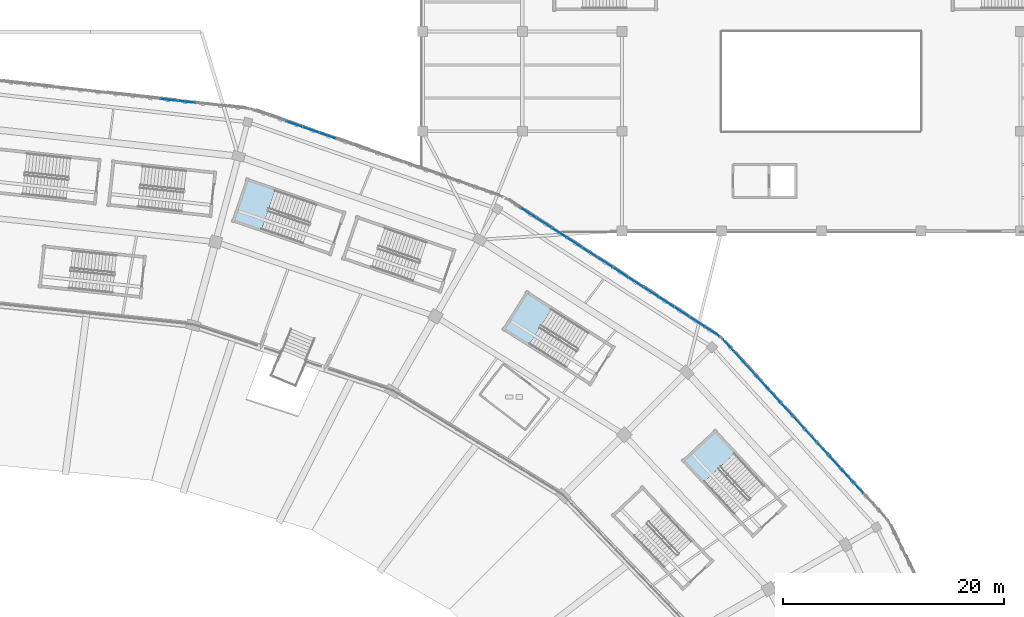
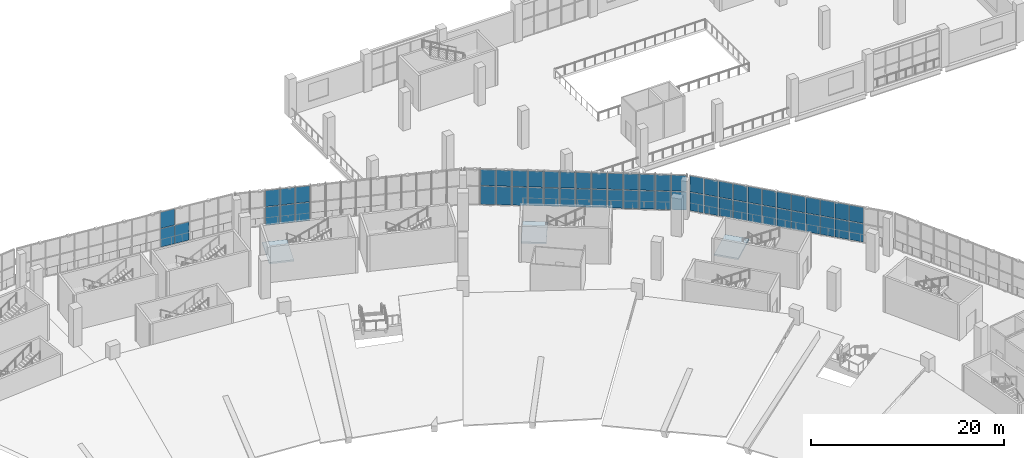
# One storey, part 94 of 183: 59 plates, 3 slabs, 7 elements without a shape of their own.
"""IFC4 building model written with IfcOpenShell, lengths in metres."""

from ifc_helpers import new_model, si_unit, direction, frame, origin, origin_2d, place, context, subcontext, project, spatial, polyline, rectangle, outline, extrude, material, layer, layer_set, type_object, element, aggregate, save


model = new_model("IFC4")

# Units and contexts
model_context = context("Model", 3, precision=1e-05, world=origin(), true_north=direction((0.0, 1.0)))
body_context = subcontext(model_context, "Body", "Model", "MODEL_VIEW")
ifc_project = project(units=[si_unit("LENGTHUNIT", "METRE"), si_unit("AREAUNIT", "SQUARE_METRE"), si_unit("VOLUMEUNIT", "CUBIC_METRE"), si_unit("PLANEANGLEUNIT", "RADIAN"), si_unit("MASSUNIT", "GRAM", prefix="KILO")], contexts=[model_context])

# Site, building, storey
site_placement = place(None, origin())
site = spatial("IfcSite", under=ifc_project, at=site_placement, CompositionType="ELEMENT")
building_placement = place(site_placement, origin())
building = spatial("IfcBuilding", under=site, at=building_placement, Name="Zevraka Park Crest Stadium", CompositionType="ELEMENT")
storey_placement = place(building_placement, frame((0.0, 0.0, 5.39990234375)))
storey = spatial("IfcBuildingStorey", under=building, at=storey_placement, Name="L01", CompositionType="ELEMENT", Elevation=5.39990234375)

# Curtain wall, plates
ifc_material_1 = material(Name="Anodised architectural aluminium and laminated safety glass", Category="aluminium")
curtain_wall_type_1 = type_object("IfcCurtainWallType", Name="CW01", PredefinedType="NOTDEFINED", material=ifc_material_1)
curtain_wall_1_placement = place(storey_placement, origin())
curtain_wall_1 = element("IfcCurtainWall", 1, at=curtain_wall_1_placement, inside=storey, type_object=curtain_wall_type_1, Name="Unitised Ring Curtain Wall CW01 L01-05", PredefinedType="NOTDEFINED")
ifc_material_2 = material(Name="Solar-control laminated double glazing", Category="glass")
ifc_layer_1 = layer(ifc_material_2, 0.028076171875)
ifc_layer_set_1 = layer_set([ifc_layer_1], Name="Solar-control laminated double glazing")
plate_type_1 = type_object("IfcPlateType", Name="CP01", PredefinedType="CURTAIN_PANEL", material=ifc_layer_set_1)
plate_1_placement = place(storey_placement, frame((130.727783203125, 169.644287109375, 0.06005859375), z_axis=(0.0, 0.0, 1.0), x_axis=(-0.993916668414, 0.110134718639, 0.0)))
plate_1 = element("IfcPlate", 2, at=plate_1_placement, type_object=plate_type_1, Name="CW01 panel 4.1", PredefinedType="CURTAIN_PANEL", context=body_context, shape_type="SweptSolid", body=[
    extrude(rectangle(XDim=1.567138671875, YDim=0.028076171875, at=origin_2d()), origin(), (0.0, 0.0, 1.0), 2.31005859375),
])
plate_2_placement = place(storey_placement, frame((129.110595703125, 169.823486328125, 0.06005859375), z_axis=(0.0, 0.0, 1.0), x_axis=(-0.993916668414, 0.110134718639, 0.0)))
plate_2 = element("IfcPlate", 3, at=plate_2_placement, type_object=plate_type_1, Name="CW01 panel 5.1", PredefinedType="CURTAIN_PANEL", context=body_context, shape_type="SweptSolid", body=[
    extrude(rectangle(XDim=1.567138671875, YDim=0.028076171875, at=origin_2d()), origin(), (0.0, 0.0, 1.0), 2.31005859375),
])
plate_3_placement = place(storey_placement, frame((129.110595703125, 169.823486328125, 2.43017578125), z_axis=(0.0, 0.0, 1.0), x_axis=(-0.993916668414, 0.110134718639, 0.0)))
plate_3 = element("IfcPlate", 4, at=plate_3_placement, type_object=plate_type_1, Name="CW01 panel 5.2", PredefinedType="CURTAIN_PANEL", context=body_context, shape_type="SweptSolid", body=[
    extrude(rectangle(XDim=1.567138671875, YDim=0.028076171875, at=origin_2d()), origin(), (0.0, 0.0, 1.0), 2.030029296875),
])
aggregate(curtain_wall_1, [plate_1, plate_2, plate_3])

ifc_material_3 = material(Name="Anodised architectural aluminium and laminated safety glass", Category="aluminium")
curtain_wall_type_2 = type_object("IfcCurtainWallType", Name="CW02", PredefinedType="NOTDEFINED", material=ifc_material_3)
curtain_wall_2_placement = place(storey_placement, origin())
curtain_wall_2 = element("IfcCurtainWall", 5, at=curtain_wall_2_placement, inside=storey, type_object=curtain_wall_type_2, Name="Unitised Ring Curtain Wall CW02 L01-04", PredefinedType="NOTDEFINED")
ifc_material_4 = material(Name="Solar-control laminated double glazing", Category="glass")
ifc_layer_2 = layer(ifc_material_4, 0.028076171875)
ifc_layer_set_2 = layer_set([ifc_layer_2], Name="Solar-control laminated double glazing")
plate_type_2 = type_object("IfcPlateType", Name="CP02", PredefinedType="CURTAIN_PANEL", material=ifc_layer_set_2)
plate_4_placement = place(storey_placement, frame((143.421630859375, 166.59521484375, 0.06494140625), z_axis=(0.0, 0.0, 1.0), x_axis=(-0.944256979565, 0.329209289879, 0.0)))
plate_4 = element("IfcPlate", 6, at=plate_4_placement, type_object=plate_type_2, Name="CW02 panel 11.1", PredefinedType="CURTAIN_PANEL", context=body_context, shape_type="SweptSolid", body=[
    extrude(rectangle(XDim=1.530517578125, YDim=0.028076171875, at=origin_2d()), origin(), (0.0, 0.0, 1.0), 2.302490234375),
])
plate_5_placement = place(storey_placement, frame((143.421630859375, 166.59521484375, 2.4326171875), z_axis=(0.0, 0.0, 1.0), x_axis=(-0.944256979565, 0.329209289879, 0.0)))
plate_5 = element("IfcPlate", 7, at=plate_5_placement, type_object=plate_type_2, Name="CW02 panel 11.2", PredefinedType="CURTAIN_PANEL", context=body_context, shape_type="SweptSolid", body=[
    extrude(rectangle(XDim=1.530517578125, YDim=0.028076171875, at=origin_2d()), origin(), (0.0, 0.0, 1.0), 2.0224609375),
])
plate_6_placement = place(storey_placement, frame((141.9150390625, 167.12060546875, 0.06494140625), z_axis=(0.0, 0.0, 1.0), x_axis=(-0.944256979565, 0.329209289879, 0.0)))
plate_6 = element("IfcPlate", 8, at=plate_6_placement, type_object=plate_type_2, Name="CW02 panel 12.1", PredefinedType="CURTAIN_PANEL", context=body_context, shape_type="SweptSolid", body=[
    extrude(rectangle(XDim=1.530517578125, YDim=0.028076171875, at=origin_2d()), origin(), (0.0, 0.0, 1.0), 2.302490234375),
])
plate_7_placement = place(storey_placement, frame((141.9150390625, 167.12060546875, 2.4326171875), z_axis=(0.0, 0.0, 1.0), x_axis=(-0.944256979565, 0.329209289879, 0.0)))
plate_7 = element("IfcPlate", 9, at=plate_7_placement, type_object=plate_type_2, Name="CW02 panel 12.2", PredefinedType="CURTAIN_PANEL", context=body_context, shape_type="SweptSolid", body=[
    extrude(rectangle(XDim=1.530517578125, YDim=0.028076171875, at=origin_2d()), origin(), (0.0, 0.0, 1.0), 2.0224609375),
])
plate_8_placement = place(storey_placement, frame((140.408447265625, 167.645751953125, 0.06494140625), z_axis=(0.0, 0.0, 1.0), x_axis=(-0.944256979565, 0.329209289879, 0.0)))
plate_8 = element("IfcPlate", 10, at=plate_8_placement, type_object=plate_type_2, Name="CW02 panel 13.1", PredefinedType="CURTAIN_PANEL", context=body_context, shape_type="SweptSolid", body=[
    extrude(rectangle(XDim=1.530517578125, YDim=0.028076171875, at=origin_2d()), origin(), (0.0, 0.0, 1.0), 2.302490234375),
])
plate_9_placement = place(storey_placement, frame((140.408447265625, 167.645751953125, 2.4326171875), z_axis=(0.0, 0.0, 1.0), x_axis=(-0.944256979565, 0.329209289879, 0.0)))
plate_9 = element("IfcPlate", 11, at=plate_9_placement, type_object=plate_type_2, Name="CW02 panel 13.2", PredefinedType="CURTAIN_PANEL", context=body_context, shape_type="SweptSolid", body=[
    extrude(rectangle(XDim=1.530517578125, YDim=0.028076171875, at=origin_2d()), origin(), (0.0, 0.0, 1.0), 2.0224609375),
])
aggregate(curtain_wall_2, [plate_4, plate_5, plate_6, plate_7, plate_8, plate_9])

ifc_material_5 = material(Name="Anodised architectural aluminium and laminated safety glass", Category="aluminium")
curtain_wall_type_3 = type_object("IfcCurtainWallType", Name="CW03", PredefinedType="NOTDEFINED", material=ifc_material_5)
curtain_wall_3_placement = place(storey_placement, origin())
curtain_wall_3 = element("IfcCurtainWall", 12, at=curtain_wall_3_placement, inside=storey, type_object=curtain_wall_type_3, Name="Unitised Ring Curtain Wall CW03 L01-02", PredefinedType="NOTDEFINED")
ifc_material_6 = material(Name="Solar-control laminated double glazing", Category="glass")
ifc_layer_3 = layer(ifc_material_6, 0.028076171875)
ifc_layer_set_3 = layer_set([ifc_layer_3], Name="Solar-control laminated double glazing")
plate_type_3 = type_object("IfcPlateType", Name="CP03", PredefinedType="CURTAIN_PANEL", material=ifc_layer_set_3)
plate_10_placement = place(storey_placement, frame((191.289306640625, 134.8642578125, 0.070068359375), z_axis=(0.0, 0.0, 1.0), x_axis=(-0.673679672672, 0.739023476371, 0.0)))
plate_10 = element("IfcPlate", 13, at=plate_10_placement, type_object=plate_type_3, Name="CW03 panel 3.1", PredefinedType="CURTAIN_PANEL", context=body_context, shape_type="SweptSolid", body=[
    extrude(rectangle(XDim=1.50732421875, YDim=0.028076171875, at=origin_2d()), origin(), (0.0, 0.0, 1.0), 2.294921875),
])
plate_11_placement = place(storey_placement, frame((191.289306640625, 134.8642578125, 2.43505859375), z_axis=(0.0, 0.0, 1.0), x_axis=(-0.673679672672, 0.739023476371, 0.0)))
plate_11 = element("IfcPlate", 14, at=plate_11_placement, type_object=plate_type_3, Name="CW03 panel 3.2", PredefinedType="CURTAIN_PANEL", context=body_context, shape_type="SweptSolid", body=[
    extrude(rectangle(XDim=1.50732421875, YDim=0.028076171875, at=origin_2d()), origin(), (0.0, 0.0, 1.0), 2.014892578125),
])
plate_12_placement = place(storey_placement, frame((190.226806640625, 136.030029296875, 0.070068359375), z_axis=(0.0, 0.0, 1.0), x_axis=(-0.673679672672, 0.739023476371, 0.0)))
plate_12 = element("IfcPlate", 15, at=plate_12_placement, type_object=plate_type_3, Name="CW03 panel 4.1", PredefinedType="CURTAIN_PANEL", context=body_context, shape_type="SweptSolid", body=[
    extrude(rectangle(XDim=1.50732421875, YDim=0.028076171875, at=origin_2d()), origin(), (0.0, 0.0, 1.0), 2.294921875),
])
plate_13_placement = place(storey_placement, frame((190.226806640625, 136.030029296875, 2.43505859375), z_axis=(0.0, 0.0, 1.0), x_axis=(-0.673679672672, 0.739023476371, 0.0)))
plate_13 = element("IfcPlate", 16, at=plate_13_placement, type_object=plate_type_3, Name="CW03 panel 4.2", PredefinedType="CURTAIN_PANEL", context=body_context, shape_type="SweptSolid", body=[
    extrude(rectangle(XDim=1.50732421875, YDim=0.028076171875, at=origin_2d()), origin(), (0.0, 0.0, 1.0), 2.014892578125),
])
plate_14_placement = place(storey_placement, frame((189.1640625, 137.19580078125, 0.070068359375), z_axis=(0.0, 0.0, 1.0), x_axis=(-0.673679672672, 0.739023476371, 0.0)))
plate_14 = element("IfcPlate", 17, at=plate_14_placement, type_object=plate_type_3, Name="CW03 panel 5.1", PredefinedType="CURTAIN_PANEL", context=body_context, shape_type="SweptSolid", body=[
    extrude(rectangle(XDim=1.50732421875, YDim=0.028076171875, at=origin_2d()), origin(), (0.0, 0.0, 1.0), 2.294921875),
])
plate_15_placement = place(storey_placement, frame((189.1640625, 137.19580078125, 2.43505859375), z_axis=(0.0, 0.0, 1.0), x_axis=(-0.673679672672, 0.739023476371, 0.0)))
plate_15 = element("IfcPlate", 18, at=plate_15_placement, type_object=plate_type_3, Name="CW03 panel 5.2", PredefinedType="CURTAIN_PANEL", context=body_context, shape_type="SweptSolid", body=[
    extrude(rectangle(XDim=1.50732421875, YDim=0.028076171875, at=origin_2d()), origin(), (0.0, 0.0, 1.0), 2.014892578125),
])
plate_16_placement = place(storey_placement, frame((188.1015625, 138.361328125, 0.070068359375), z_axis=(0.0, 0.0, 1.0), x_axis=(-0.673679672672, 0.739023476371, 0.0)))
plate_16 = element("IfcPlate", 19, at=plate_16_placement, type_object=plate_type_3, Name="CW03 panel 6.1", PredefinedType="CURTAIN_PANEL", context=body_context, shape_type="SweptSolid", body=[
    extrude(rectangle(XDim=1.50732421875, YDim=0.028076171875, at=origin_2d()), origin(), (0.0, 0.0, 1.0), 2.294921875),
])
plate_17_placement = place(storey_placement, frame((188.1015625, 138.361328125, 2.43505859375), z_axis=(0.0, 0.0, 1.0), x_axis=(-0.673679672672, 0.739023476371, 0.0)))
plate_17 = element("IfcPlate", 20, at=plate_17_placement, type_object=plate_type_3, Name="CW03 panel 6.2", PredefinedType="CURTAIN_PANEL", context=body_context, shape_type="SweptSolid", body=[
    extrude(rectangle(XDim=1.50732421875, YDim=0.028076171875, at=origin_2d()), origin(), (0.0, 0.0, 1.0), 2.014892578125),
])
plate_18_placement = place(storey_placement, frame((187.038818359375, 139.527099609375, 0.070068359375), z_axis=(0.0, 0.0, 1.0), x_axis=(-0.673679672672, 0.739023476371, 0.0)))
plate_18 = element("IfcPlate", 21, at=plate_18_placement, type_object=plate_type_3, Name="CW03 panel 7.1", PredefinedType="CURTAIN_PANEL", context=body_context, shape_type="SweptSolid", body=[
    extrude(rectangle(XDim=1.50732421875, YDim=0.028076171875, at=origin_2d()), origin(), (0.0, 0.0, 1.0), 2.294921875),
])
plate_19_placement = place(storey_placement, frame((187.038818359375, 139.527099609375, 2.43505859375), z_axis=(0.0, 0.0, 1.0), x_axis=(-0.673679672672, 0.739023476371, 0.0)))
plate_19 = element("IfcPlate", 22, at=plate_19_placement, type_object=plate_type_3, Name="CW03 panel 7.2", PredefinedType="CURTAIN_PANEL", context=body_context, shape_type="SweptSolid", body=[
    extrude(rectangle(XDim=1.50732421875, YDim=0.028076171875, at=origin_2d()), origin(), (0.0, 0.0, 1.0), 2.014892578125),
])
plate_20_placement = place(storey_placement, frame((185.97607421875, 140.69287109375, 0.070068359375), z_axis=(0.0, 0.0, 1.0), x_axis=(-0.673679672672, 0.739023476371, 0.0)))
plate_20 = element("IfcPlate", 23, at=plate_20_placement, type_object=plate_type_3, Name="CW03 panel 8.1", PredefinedType="CURTAIN_PANEL", context=body_context, shape_type="SweptSolid", body=[
    extrude(rectangle(XDim=1.50732421875, YDim=0.028076171875, at=origin_2d()), origin(), (0.0, 0.0, 1.0), 2.294921875),
])
plate_21_placement = place(storey_placement, frame((185.97607421875, 140.69287109375, 2.43505859375), z_axis=(0.0, 0.0, 1.0), x_axis=(-0.673679672672, 0.739023476371, 0.0)))
plate_21 = element("IfcPlate", 24, at=plate_21_placement, type_object=plate_type_3, Name="CW03 panel 8.2", PredefinedType="CURTAIN_PANEL", context=body_context, shape_type="SweptSolid", body=[
    extrude(rectangle(XDim=1.50732421875, YDim=0.028076171875, at=origin_2d()), origin(), (0.0, 0.0, 1.0), 2.014892578125),
])
plate_22_placement = place(storey_placement, frame((184.91357421875, 141.858642578125, 0.070068359375), z_axis=(0.0, 0.0, 1.0), x_axis=(-0.673679672672, 0.739023476371, 0.0)))
plate_22 = element("IfcPlate", 25, at=plate_22_placement, type_object=plate_type_3, Name="CW03 panel 9.1", PredefinedType="CURTAIN_PANEL", context=body_context, shape_type="SweptSolid", body=[
    extrude(rectangle(XDim=1.50732421875, YDim=0.028076171875, at=origin_2d()), origin(), (0.0, 0.0, 1.0), 2.294921875),
])
plate_23_placement = place(storey_placement, frame((184.91357421875, 141.858642578125, 2.43505859375), z_axis=(0.0, 0.0, 1.0), x_axis=(-0.673679672672, 0.739023476371, 0.0)))
plate_23 = element("IfcPlate", 26, at=plate_23_placement, type_object=plate_type_3, Name="CW03 panel 9.2", PredefinedType="CURTAIN_PANEL", context=body_context, shape_type="SweptSolid", body=[
    extrude(rectangle(XDim=1.50732421875, YDim=0.028076171875, at=origin_2d()), origin(), (0.0, 0.0, 1.0), 2.014892578125),
])
plate_24_placement = place(storey_placement, frame((183.850830078125, 143.024169921875, 0.070068359375), z_axis=(0.0, 0.0, 1.0), x_axis=(-0.673679672672, 0.739023476371, 0.0)))
plate_24 = element("IfcPlate", 27, at=plate_24_placement, type_object=plate_type_3, Name="CW03 panel 10.1", PredefinedType="CURTAIN_PANEL", context=body_context, shape_type="SweptSolid", body=[
    extrude(rectangle(XDim=1.50732421875, YDim=0.028076171875, at=origin_2d()), origin(), (0.0, 0.0, 1.0), 2.294921875),
])
plate_25_placement = place(storey_placement, frame((183.850830078125, 143.024169921875, 2.43505859375), z_axis=(0.0, 0.0, 1.0), x_axis=(-0.673679672672, 0.739023476371, 0.0)))
plate_25 = element("IfcPlate", 28, at=plate_25_placement, type_object=plate_type_3, Name="CW03 panel 10.2", PredefinedType="CURTAIN_PANEL", context=body_context, shape_type="SweptSolid", body=[
    extrude(rectangle(XDim=1.50732421875, YDim=0.028076171875, at=origin_2d()), origin(), (0.0, 0.0, 1.0), 2.014892578125),
])
plate_26_placement = place(storey_placement, frame((182.788330078125, 144.18994140625, 0.070068359375), z_axis=(0.0, 0.0, 1.0), x_axis=(-0.673679672672, 0.739023476371, 0.0)))
plate_26 = element("IfcPlate", 29, at=plate_26_placement, type_object=plate_type_3, Name="CW03 panel 11.1", PredefinedType="CURTAIN_PANEL", context=body_context, shape_type="SweptSolid", body=[
    extrude(rectangle(XDim=1.50732421875, YDim=0.028076171875, at=origin_2d()), origin(), (0.0, 0.0, 1.0), 2.294921875),
])
plate_27_placement = place(storey_placement, frame((182.788330078125, 144.18994140625, 2.43505859375), z_axis=(0.0, 0.0, 1.0), x_axis=(-0.673679672672, 0.739023476371, 0.0)))
plate_27 = element("IfcPlate", 30, at=plate_27_placement, type_object=plate_type_3, Name="CW03 panel 11.2", PredefinedType="CURTAIN_PANEL", context=body_context, shape_type="SweptSolid", body=[
    extrude(rectangle(XDim=1.50732421875, YDim=0.028076171875, at=origin_2d()), origin(), (0.0, 0.0, 1.0), 2.014892578125),
])
plate_28_placement = place(storey_placement, frame((181.7255859375, 145.355712890625, 0.070068359375), z_axis=(0.0, 0.0, 1.0), x_axis=(-0.673679672672, 0.739023476371, 0.0)))
plate_28 = element("IfcPlate", 31, at=plate_28_placement, type_object=plate_type_3, Name="CW03 panel 12.1", PredefinedType="CURTAIN_PANEL", context=body_context, shape_type="SweptSolid", body=[
    extrude(rectangle(XDim=1.50732421875, YDim=0.028076171875, at=origin_2d()), origin(), (0.0, 0.0, 1.0), 2.294921875),
])
plate_29_placement = place(storey_placement, frame((181.7255859375, 145.355712890625, 2.43505859375), z_axis=(0.0, 0.0, 1.0), x_axis=(-0.673679672672, 0.739023476371, 0.0)))
plate_29 = element("IfcPlate", 32, at=plate_29_placement, type_object=plate_type_3, Name="CW03 panel 12.2", PredefinedType="CURTAIN_PANEL", context=body_context, shape_type="SweptSolid", body=[
    extrude(rectangle(XDim=1.50732421875, YDim=0.028076171875, at=origin_2d()), origin(), (0.0, 0.0, 1.0), 2.014892578125),
])
plate_30_placement = place(storey_placement, frame((180.6630859375, 146.521484375, 0.070068359375), z_axis=(0.0, 0.0, 1.0), x_axis=(-0.673679672672, 0.739023476371, 0.0)))
plate_30 = element("IfcPlate", 33, at=plate_30_placement, type_object=plate_type_3, Name="CW03 panel 13.1", PredefinedType="CURTAIN_PANEL", context=body_context, shape_type="SweptSolid", body=[
    extrude(rectangle(XDim=1.50732421875, YDim=0.028076171875, at=origin_2d()), origin(), (0.0, 0.0, 1.0), 2.294921875),
])
plate_31_placement = place(storey_placement, frame((180.6630859375, 146.521484375, 2.43505859375), z_axis=(0.0, 0.0, 1.0), x_axis=(-0.673679672672, 0.739023476371, 0.0)))
plate_31 = element("IfcPlate", 34, at=plate_31_placement, type_object=plate_type_3, Name="CW03 panel 13.2", PredefinedType="CURTAIN_PANEL", context=body_context, shape_type="SweptSolid", body=[
    extrude(rectangle(XDim=1.50732421875, YDim=0.028076171875, at=origin_2d()), origin(), (0.0, 0.0, 1.0), 2.014892578125),
])
plate_32_placement = place(storey_placement, frame((179.612060546875, 147.67431640625, 0.070068359375), z_axis=(0.0, 0.0, 1.0), x_axis=(-0.673679672672, 0.739023476371, 0.0)))
plate_32 = element("IfcPlate", 35, at=plate_32_placement, type_object=plate_type_3, Name="CW03 panel 14.1", PredefinedType="CURTAIN_PANEL", context=body_context, shape_type="SweptSolid", body=[
    extrude(rectangle(XDim=1.472412109375, YDim=0.028076171875, at=origin_2d()), origin(), (0.0, 0.0, 1.0), 2.294921875),
])
plate_33_placement = place(storey_placement, frame((179.612060546875, 147.67431640625, 2.43505859375), z_axis=(0.0, 0.0, 1.0), x_axis=(-0.673679672672, 0.739023476371, 0.0)))
plate_33 = element("IfcPlate", 36, at=plate_33_placement, type_object=plate_type_3, Name="CW03 panel 14.2", PredefinedType="CURTAIN_PANEL", context=body_context, shape_type="SweptSolid", body=[
    extrude(rectangle(XDim=1.472412109375, YDim=0.028076171875, at=origin_2d()), origin(), (0.0, 0.0, 1.0), 2.014892578125),
])
aggregate(curtain_wall_3, [plate_10, plate_11, plate_12, plate_13, plate_14, plate_15, plate_16, plate_17, plate_18, plate_19, plate_20, plate_21, plate_22, plate_23, plate_24, plate_25, plate_26, plate_27, plate_28, plate_29, plate_30, plate_31, plate_32, plate_33])

curtain_wall_4_placement = place(storey_placement, origin())
curtain_wall_4 = element("IfcCurtainWall", 37, at=curtain_wall_4_placement, inside=storey, type_object=curtain_wall_type_3, Name="Unitised Ring Curtain Wall CW03 L01-03", PredefinedType="NOTDEFINED")
plate_34_placement = place(storey_placement, frame((178.16552734375, 148.89306640625, 0.070068359375), z_axis=(0.0, 0.0, 1.0), x_axis=(-0.840010186018, 0.542570628938, 0.0)))
plate_34 = element("IfcPlate", 38, at=plate_34_placement, type_object=plate_type_3, Name="CW03 panel 1.1", PredefinedType="CURTAIN_PANEL", context=body_context, shape_type="SweptSolid", body=[
    extrude(rectangle(XDim=1.54443359375, YDim=0.028076171875, at=origin_2d()), origin(), (0.0, 0.0, 1.0), 2.294921875),
])
plate_35_placement = place(storey_placement, frame((178.16552734375, 148.89306640625, 2.43505859375), z_axis=(0.0, 0.0, 1.0), x_axis=(-0.840010186018, 0.542570628938, 0.0)))
plate_35 = element("IfcPlate", 39, at=plate_35_placement, type_object=plate_type_3, Name="CW03 panel 1.2", PredefinedType="CURTAIN_PANEL", context=body_context, shape_type="SweptSolid", body=[
    extrude(rectangle(XDim=1.54443359375, YDim=0.028076171875, at=origin_2d()), origin(), (0.0, 0.0, 1.0), 2.014892578125),
])
plate_36_placement = place(storey_placement, frame((176.79443359375, 149.778564453125, 0.070068359375), z_axis=(0.0, 0.0, 1.0), x_axis=(-0.840010186018, 0.542570628938, 0.0)))
plate_36 = element("IfcPlate", 40, at=plate_36_placement, type_object=plate_type_3, Name="CW03 panel 2.1", PredefinedType="CURTAIN_PANEL", context=body_context, shape_type="SweptSolid", body=[
    extrude(rectangle(XDim=1.57958984375, YDim=0.028076171875, at=origin_2d()), origin(), (0.0, 0.0, 1.0), 2.294921875),
])
plate_37_placement = place(storey_placement, frame((176.79443359375, 149.778564453125, 2.43505859375), z_axis=(0.0, 0.0, 1.0), x_axis=(-0.840010186018, 0.542570628938, 0.0)))
plate_37 = element("IfcPlate", 41, at=plate_37_placement, type_object=plate_type_3, Name="CW03 panel 2.2", PredefinedType="CURTAIN_PANEL", context=body_context, shape_type="SweptSolid", body=[
    extrude(rectangle(XDim=1.57958984375, YDim=0.028076171875, at=origin_2d()), origin(), (0.0, 0.0, 1.0), 2.014892578125),
])
plate_38_placement = place(storey_placement, frame((175.408935546875, 150.673583984375, 0.070068359375), z_axis=(0.0, 0.0, 1.0), x_axis=(-0.840010186018, 0.542570628938, 0.0)))
plate_38 = element("IfcPlate", 42, at=plate_38_placement, type_object=plate_type_3, Name="CW03 panel 3.1", PredefinedType="CURTAIN_PANEL", context=body_context, shape_type="SweptSolid", body=[
    extrude(rectangle(XDim=1.57958984375, YDim=0.028076171875, at=origin_2d()), origin(), (0.0, 0.0, 1.0), 2.294921875),
])
plate_39_placement = place(storey_placement, frame((175.408935546875, 150.673583984375, 2.43505859375), z_axis=(0.0, 0.0, 1.0), x_axis=(-0.840010186018, 0.542570628938, 0.0)))
plate_39 = element("IfcPlate", 43, at=plate_39_placement, type_object=plate_type_3, Name="CW03 panel 3.2", PredefinedType="CURTAIN_PANEL", context=body_context, shape_type="SweptSolid", body=[
    extrude(rectangle(XDim=1.57958984375, YDim=0.028076171875, at=origin_2d()), origin(), (0.0, 0.0, 1.0), 2.014892578125),
])
plate_40_placement = place(storey_placement, frame((174.023193359375, 151.568603515625, 0.070068359375), z_axis=(0.0, 0.0, 1.0), x_axis=(-0.840010186018, 0.542570628938, 0.0)))
plate_40 = element("IfcPlate", 44, at=plate_40_placement, type_object=plate_type_3, Name="CW03 panel 4.1", PredefinedType="CURTAIN_PANEL", context=body_context, shape_type="SweptSolid", body=[
    extrude(rectangle(XDim=1.57958984375, YDim=0.028076171875, at=origin_2d()), origin(), (0.0, 0.0, 1.0), 2.294921875),
])
plate_41_placement = place(storey_placement, frame((174.023193359375, 151.568603515625, 2.43505859375), z_axis=(0.0, 0.0, 1.0), x_axis=(-0.840010186018, 0.542570628938, 0.0)))
plate_41 = element("IfcPlate", 45, at=plate_41_placement, type_object=plate_type_3, Name="CW03 panel 4.2", PredefinedType="CURTAIN_PANEL", context=body_context, shape_type="SweptSolid", body=[
    extrude(rectangle(XDim=1.57958984375, YDim=0.028076171875, at=origin_2d()), origin(), (0.0, 0.0, 1.0), 2.014892578125),
])
plate_42_placement = place(storey_placement, frame((172.6376953125, 152.46337890625, 0.070068359375), z_axis=(0.0, 0.0, 1.0), x_axis=(-0.840010186018, 0.542570628938, 0.0)))
plate_42 = element("IfcPlate", 46, at=plate_42_placement, type_object=plate_type_3, Name="CW03 panel 5.1", PredefinedType="CURTAIN_PANEL", context=body_context, shape_type="SweptSolid", body=[
    extrude(rectangle(XDim=1.57958984375, YDim=0.028076171875, at=origin_2d()), origin(), (0.0, 0.0, 1.0), 2.294921875),
])
plate_43_placement = place(storey_placement, frame((172.6376953125, 152.46337890625, 2.43505859375), z_axis=(0.0, 0.0, 1.0), x_axis=(-0.840010186018, 0.542570628938, 0.0)))
plate_43 = element("IfcPlate", 47, at=plate_43_placement, type_object=plate_type_3, Name="CW03 panel 5.2", PredefinedType="CURTAIN_PANEL", context=body_context, shape_type="SweptSolid", body=[
    extrude(rectangle(XDim=1.57958984375, YDim=0.028076171875, at=origin_2d()), origin(), (0.0, 0.0, 1.0), 2.014892578125),
])
plate_44_placement = place(storey_placement, frame((171.251953125, 153.3583984375, 0.070068359375), z_axis=(0.0, 0.0, 1.0), x_axis=(-0.840010186018, 0.542570628938, 0.0)))
plate_44 = element("IfcPlate", 48, at=plate_44_placement, type_object=plate_type_3, Name="CW03 panel 6.1", PredefinedType="CURTAIN_PANEL", context=body_context, shape_type="SweptSolid", body=[
    extrude(rectangle(XDim=1.57958984375, YDim=0.028076171875, at=origin_2d()), origin(), (0.0, 0.0, 1.0), 2.294921875),
])
plate_45_placement = place(storey_placement, frame((171.251953125, 153.3583984375, 2.43505859375), z_axis=(0.0, 0.0, 1.0), x_axis=(-0.840010186018, 0.542570628938, 0.0)))
plate_45 = element("IfcPlate", 49, at=plate_45_placement, type_object=plate_type_3, Name="CW03 panel 6.2", PredefinedType="CURTAIN_PANEL", context=body_context, shape_type="SweptSolid", body=[
    extrude(rectangle(XDim=1.57958984375, YDim=0.028076171875, at=origin_2d()), origin(), (0.0, 0.0, 1.0), 2.014892578125),
])
plate_46_placement = place(storey_placement, frame((169.8662109375, 154.25341796875, 0.070068359375), z_axis=(0.0, 0.0, 1.0), x_axis=(-0.840010186018, 0.542570628938, 0.0)))
plate_46 = element("IfcPlate", 50, at=plate_46_placement, type_object=plate_type_3, Name="CW03 panel 7.1", PredefinedType="CURTAIN_PANEL", context=body_context, shape_type="SweptSolid", body=[
    extrude(rectangle(XDim=1.57958984375, YDim=0.028076171875, at=origin_2d()), origin(), (0.0, 0.0, 1.0), 2.294921875),
])
plate_47_placement = place(storey_placement, frame((169.8662109375, 154.25341796875, 2.43505859375), z_axis=(0.0, 0.0, 1.0), x_axis=(-0.840010186018, 0.542570628938, 0.0)))
plate_47 = element("IfcPlate", 51, at=plate_47_placement, type_object=plate_type_3, Name="CW03 panel 7.2", PredefinedType="CURTAIN_PANEL", context=body_context, shape_type="SweptSolid", body=[
    extrude(rectangle(XDim=1.57958984375, YDim=0.028076171875, at=origin_2d()), origin(), (0.0, 0.0, 1.0), 2.014892578125),
])
plate_48_placement = place(storey_placement, frame((168.480712890625, 155.1484375, 0.070068359375), z_axis=(0.0, 0.0, 1.0), x_axis=(-0.840010186018, 0.542570628938, 0.0)))
plate_48 = element("IfcPlate", 52, at=plate_48_placement, type_object=plate_type_3, Name="CW03 panel 8.1", PredefinedType="CURTAIN_PANEL", context=body_context, shape_type="SweptSolid", body=[
    extrude(rectangle(XDim=1.57958984375, YDim=0.028076171875, at=origin_2d()), origin(), (0.0, 0.0, 1.0), 2.294921875),
])
plate_49_placement = place(storey_placement, frame((168.480712890625, 155.1484375, 2.43505859375), z_axis=(0.0, 0.0, 1.0), x_axis=(-0.840010186018, 0.542570628938, 0.0)))
plate_49 = element("IfcPlate", 53, at=plate_49_placement, type_object=plate_type_3, Name="CW03 panel 8.2", PredefinedType="CURTAIN_PANEL", context=body_context, shape_type="SweptSolid", body=[
    extrude(rectangle(XDim=1.57958984375, YDim=0.028076171875, at=origin_2d()), origin(), (0.0, 0.0, 1.0), 2.014892578125),
])
plate_50_placement = place(storey_placement, frame((167.094970703125, 156.04345703125, 0.070068359375), z_axis=(0.0, 0.0, 1.0), x_axis=(-0.840010186018, 0.542570628938, 0.0)))
plate_50 = element("IfcPlate", 54, at=plate_50_placement, type_object=plate_type_3, Name="CW03 panel 9.1", PredefinedType="CURTAIN_PANEL", context=body_context, shape_type="SweptSolid", body=[
    extrude(rectangle(XDim=1.57958984375, YDim=0.028076171875, at=origin_2d()), origin(), (0.0, 0.0, 1.0), 2.294921875),
])
plate_51_placement = place(storey_placement, frame((167.094970703125, 156.04345703125, 2.43505859375), z_axis=(0.0, 0.0, 1.0), x_axis=(-0.840010186018, 0.542570628938, 0.0)))
plate_51 = element("IfcPlate", 55, at=plate_51_placement, type_object=plate_type_3, Name="CW03 panel 9.2", PredefinedType="CURTAIN_PANEL", context=body_context, shape_type="SweptSolid", body=[
    extrude(rectangle(XDim=1.57958984375, YDim=0.028076171875, at=origin_2d()), origin(), (0.0, 0.0, 1.0), 2.014892578125),
])
plate_52_placement = place(storey_placement, frame((165.70947265625, 156.9384765625, 0.070068359375), z_axis=(0.0, 0.0, 1.0), x_axis=(-0.840010186018, 0.542570628938, 0.0)))
plate_52 = element("IfcPlate", 56, at=plate_52_placement, type_object=plate_type_3, Name="CW03 panel 10.1", PredefinedType="CURTAIN_PANEL", context=body_context, shape_type="SweptSolid", body=[
    extrude(rectangle(XDim=1.57958984375, YDim=0.028076171875, at=origin_2d()), origin(), (0.0, 0.0, 1.0), 2.294921875),
])
plate_53_placement = place(storey_placement, frame((165.70947265625, 156.9384765625, 2.43505859375), z_axis=(0.0, 0.0, 1.0), x_axis=(-0.840010186018, 0.542570628938, 0.0)))
plate_53 = element("IfcPlate", 57, at=plate_53_placement, type_object=plate_type_3, Name="CW03 panel 10.2", PredefinedType="CURTAIN_PANEL", context=body_context, shape_type="SweptSolid", body=[
    extrude(rectangle(XDim=1.57958984375, YDim=0.028076171875, at=origin_2d()), origin(), (0.0, 0.0, 1.0), 2.014892578125),
])
plate_54_placement = place(storey_placement, frame((164.32373046875, 157.83349609375, 0.070068359375), z_axis=(0.0, 0.0, 1.0), x_axis=(-0.840010186018, 0.542570628938, 0.0)))
plate_54 = element("IfcPlate", 58, at=plate_54_placement, type_object=plate_type_3, Name="CW03 panel 11.1", PredefinedType="CURTAIN_PANEL", context=body_context, shape_type="SweptSolid", body=[
    extrude(rectangle(XDim=1.57958984375, YDim=0.028076171875, at=origin_2d()), origin(), (0.0, 0.0, 1.0), 2.294921875),
])
plate_55_placement = place(storey_placement, frame((164.32373046875, 157.83349609375, 2.43505859375), z_axis=(0.0, 0.0, 1.0), x_axis=(-0.840010186018, 0.542570628938, 0.0)))
plate_55 = element("IfcPlate", 59, at=plate_55_placement, type_object=plate_type_3, Name="CW03 panel 11.2", PredefinedType="CURTAIN_PANEL", context=body_context, shape_type="SweptSolid", body=[
    extrude(rectangle(XDim=1.57958984375, YDim=0.028076171875, at=origin_2d()), origin(), (0.0, 0.0, 1.0), 2.014892578125),
])
plate_56_placement = place(storey_placement, frame((162.93798828125, 158.728515625, 0.070068359375), z_axis=(0.0, 0.0, 1.0), x_axis=(-0.840010186018, 0.542570628938, 0.0)))
plate_56 = element("IfcPlate", 60, at=plate_56_placement, type_object=plate_type_3, Name="CW03 panel 12.1", PredefinedType="CURTAIN_PANEL", context=body_context, shape_type="SweptSolid", body=[
    extrude(rectangle(XDim=1.57958984375, YDim=0.028076171875, at=origin_2d()), origin(), (0.0, 0.0, 1.0), 2.294921875),
])
plate_57_placement = place(storey_placement, frame((162.93798828125, 158.728515625, 2.43505859375), z_axis=(0.0, 0.0, 1.0), x_axis=(-0.840010186018, 0.542570628938, 0.0)))
plate_57 = element("IfcPlate", 61, at=plate_57_placement, type_object=plate_type_3, Name="CW03 panel 12.2", PredefinedType="CURTAIN_PANEL", context=body_context, shape_type="SweptSolid", body=[
    extrude(rectangle(XDim=1.57958984375, YDim=0.028076171875, at=origin_2d()), origin(), (0.0, 0.0, 1.0), 2.014892578125),
])
plate_58_placement = place(storey_placement, frame((161.552490234375, 159.62353515625, 0.070068359375), z_axis=(0.0, 0.0, 1.0), x_axis=(-0.840010186018, 0.542570628938, 0.0)))
plate_58 = element("IfcPlate", 62, at=plate_58_placement, type_object=plate_type_3, Name="CW03 panel 13.1", PredefinedType="CURTAIN_PANEL", context=body_context, shape_type="SweptSolid", body=[
    extrude(rectangle(XDim=1.57958984375, YDim=0.028076171875, at=origin_2d()), origin(), (0.0, 0.0, 1.0), 2.294921875),
])
plate_59_placement = place(storey_placement, frame((161.552490234375, 159.62353515625, 2.43505859375), z_axis=(0.0, 0.0, 1.0), x_axis=(-0.840010186018, 0.542570628938, 0.0)))
plate_59 = element("IfcPlate", 63, at=plate_59_placement, type_object=plate_type_3, Name="CW03 panel 13.2", PredefinedType="CURTAIN_PANEL", context=body_context, shape_type="SweptSolid", body=[
    extrude(rectangle(XDim=1.57958984375, YDim=0.028076171875, at=origin_2d()), origin(), (0.0, 0.0, 1.0), 2.014892578125),
])
aggregate(curtain_wall_4, [plate_34, plate_35, plate_36, plate_37, plate_38, plate_39, plate_40, plate_41, plate_42, plate_43, plate_44, plate_45, plate_46, plate_47, plate_48, plate_49, plate_50, plate_51, plate_52, plate_53, plate_54, plate_55, plate_56, plate_57, plate_58, plate_59])

# Stair, slab
ifc_material_7 = material(Name="Concrete C35/45", Category="concrete")
stair_type = type_object("IfcStairType", Name="STA2", PredefinedType="HALF_TURN_STAIR", material=ifc_material_7)
stair_1_placement = place(storey_placement, origin())
stair_1 = element("IfcStair", 64, at=stair_1_placement, inside=storey, type_object=stair_type, Name="L01 Protected Concourse Exit Stair ST03", PredefinedType="HALF_TURN_STAIR")
ifc_material_8 = material(Name="Concrete C35/45", Category="concrete")
ifc_layer_4 = layer(ifc_material_8, 0.199951171875)
ifc_layer_set_4 = layer_set([ifc_layer_4], Name="Concrete C35/45")
slab_type = type_object("IfcSlabType", Name="LS01", PredefinedType="LANDING", material=ifc_layer_set_4)
slab_1_placement = place(storey_placement, frame((0.0, 0.0, 2.2001953125)))
slab_1 = element("IfcSlab", 65, at=slab_1_placement, type_object=slab_type, Name="ST03 landing 1", PredefinedType="LANDING", context=body_context, shape_type="SweptSolid", body=[
    extrude(outline(polyline([(180.192138671875, 137.896240234375), (178.416748046875, 139.809326171875), (175.66064453125, 137.251708984375), (177.436279296875, 135.338623046875), (180.192138671875, 137.896240234375)])), origin(), (0.0, 0.0, 1.0), 0.199951171875),
])
aggregate(stair_1, [slab_1])

stair_2_placement = place(storey_placement, origin())
stair_2 = element("IfcStair", 66, at=stair_2_placement, inside=storey, type_object=stair_type, Name="L01 Protected Concourse Exit Stair ST04", PredefinedType="HALF_TURN_STAIR")
slab_2_placement = place(storey_placement, frame((0.0, 0.0, 2.2001953125)))
slab_2 = element("IfcSlab", 67, at=slab_2_placement, type_object=slab_type, Name="ST04 landing 1", PredefinedType="LANDING", context=body_context, shape_type="SweptSolid", body=[
    extrude(outline(polyline([(163.658203125, 150.930908203125), (161.4541015625, 152.329345703125), (159.43994140625, 149.154296875), (161.643798828125, 147.756103515625), (163.658203125, 150.930908203125)])), origin(), (0.0, 0.0, 1.0), 0.199951171875),
])
aggregate(stair_2, [slab_2])

stair_3_placement = place(storey_placement, origin())
stair_3 = element("IfcStair", 68, at=stair_3_placement, inside=storey, type_object=stair_type, Name="L01 Protected Paired Concourse Exit Stair ST25", PredefinedType="HALF_TURN_STAIR")
slab_3_placement = place(storey_placement, frame((0.0, 0.0, 2.2001953125)))
slab_3 = element("IfcSlab", 69, at=slab_3_placement, type_object=slab_type, Name="ST25 landing 1", PredefinedType="LANDING", context=body_context, shape_type="SweptSolid", body=[
    extrude(outline(polyline([(138.687255859375, 161.683349609375), (136.218017578125, 162.529052734375), (135.0, 158.9716796875), (137.46923828125, 158.126220703125), (138.687255859375, 161.683349609375)])), origin(), (0.0, 0.0, 1.0), 0.199951171875),
])
aggregate(stair_3, [slab_3])

save(model, "model.ifc")
